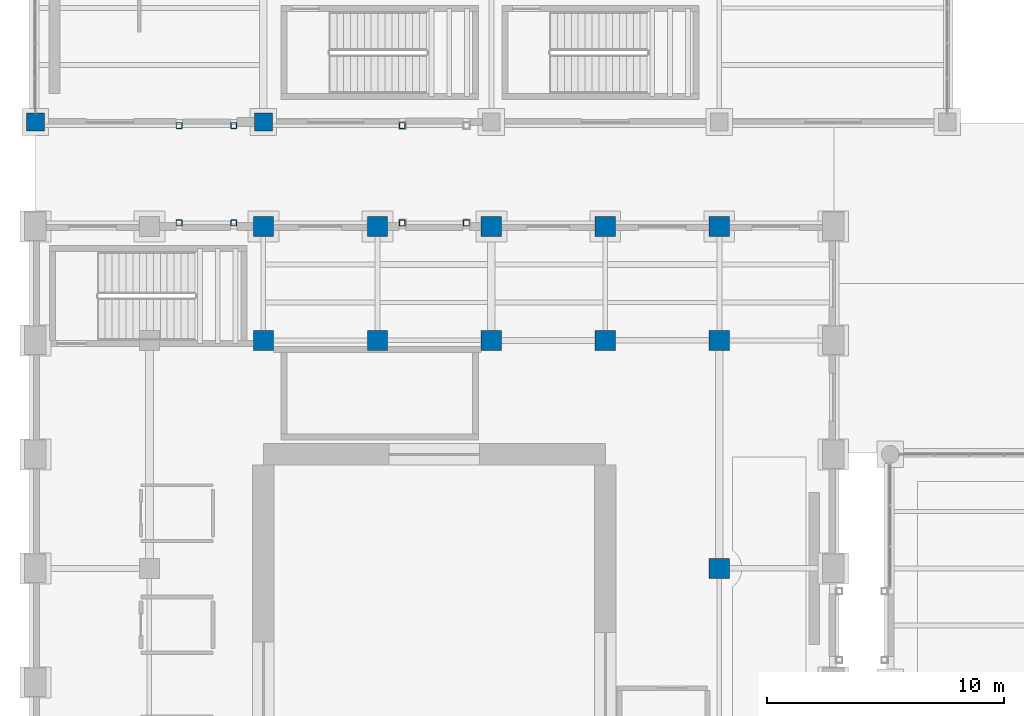
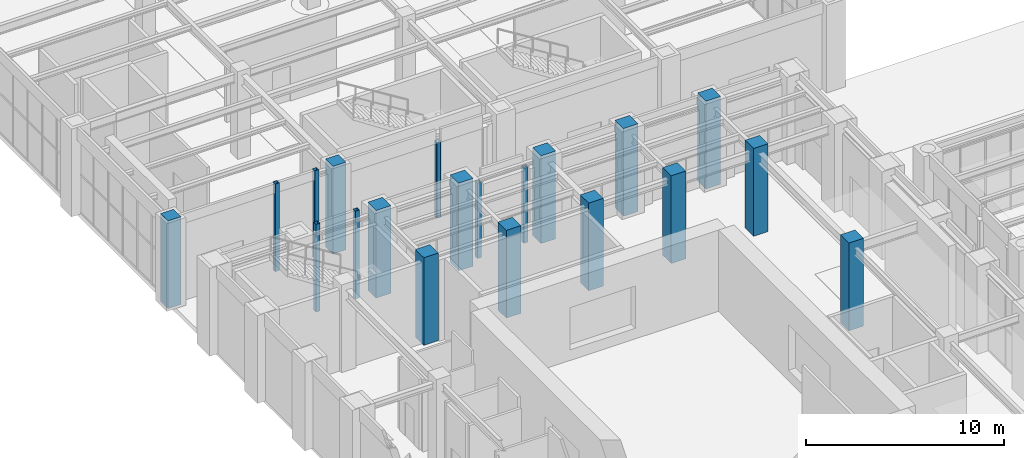
# One storey, part 12 of 164: 20 columns.
"""IFC4 building model written with IfcOpenShell, lengths in metres."""

from ifc_helpers import new_model, si_unit, direction, frame, origin, origin_2d, place, context, subcontext, project, spatial, rectangle, hollow_rectangle, extrude, material, material_profile, profile_set, type_object, element, save


model = new_model("IFC4")

# Units and contexts
model_context = context("Model", 3, precision=1e-05, world=origin(), true_north=direction((0.0, 1.0)))
body_context = subcontext(model_context, "Body", "Model", "MODEL_VIEW")
ifc_project = project(units=[si_unit("LENGTHUNIT", "METRE"), si_unit("AREAUNIT", "SQUARE_METRE"), si_unit("VOLUMEUNIT", "CUBIC_METRE"), si_unit("PLANEANGLEUNIT", "RADIAN"), si_unit("MASSUNIT", "GRAM", prefix="KILO")], contexts=[model_context])

# Site, building, storey
site_placement = place(None, origin())
site = spatial("IfcSite", under=ifc_project, at=site_placement, CompositionType="ELEMENT")
building_placement = place(site_placement, origin())
building = spatial("IfcBuilding", under=site, at=building_placement, Name="Mavantir Sound Aquarium", CompositionType="ELEMENT")
storey_placement = place(building_placement, origin())
storey = spatial("IfcBuildingStorey", under=building, at=storey_placement, Name="L00", CompositionType="ELEMENT", Elevation=0.0)

# Columns
ifc_material_1 = material(Name="Concrete C40/50", Category="concrete")
ifc_material_profile_1 = material_profile(ifc_material_1, rectangle(XDim=0.75, YDim=0.75, at=origin_2d()), Name="RC 750X750")
ifc_profile_set_1 = profile_set([ifc_material_profile_1], Name="Concrete C40/50")
column_type_1 = type_object("IfcColumnType", Name="COL-RC750-E", PredefinedType="COLUMN", material=ifc_profile_set_1)
column_1_placement = place(storey_placement, frame((0.0, 83.60009765625, 0.0), z_axis=(0.0, 0.0, 1.0), x_axis=(1.0, 0.0, 0.0)))
element("IfcColumn", 1, at=column_1_placement, inside=storey, type_object=column_type_1, Name="L00 column RC-C75 (V5)", PredefinedType="COLUMN", context=body_context, shape_type="SweptSolid", body=[
    extrude(rectangle(XDim=0.75, YDim=0.75, at=origin_2d()), origin(), (0.0, 0.0, 1.0), 5.39990234375),
])
ifc_material_profile_2 = material_profile(ifc_material_1, rectangle(XDim=0.75, YDim=0.75, at=origin_2d()), Name="RC 750X750")
ifc_profile_set_2 = profile_set([ifc_material_profile_2], Name="Concrete C40/50")
column_type_2 = type_object("IfcColumnType", Name="COL-RC750-I", PredefinedType="COLUMN", material=ifc_profile_set_2)
column_2_placement = place(storey_placement, frame((9.60009765625, 83.60009765625, 0.0), z_axis=(0.0, 0.0, 1.0), x_axis=(1.0, 0.0, 0.0)))
element("IfcColumn", 2, at=column_2_placement, inside=storey, type_object=column_type_2, Name="L00 column RC-C75 (V5)", PredefinedType="COLUMN", context=body_context, shape_type="SweptSolid", body=[
    extrude(rectangle(XDim=0.75, YDim=0.75, at=origin_2d()), origin(), (0.0, 0.0, 1.0), 5.39990234375),
])
ifc_material_profile_3 = material_profile(ifc_material_1, rectangle(XDim=0.85009765625, YDim=0.85009765625, at=origin_2d()), Name="RC 850X850")
ifc_profile_set_3 = profile_set([ifc_material_profile_3], Name="Concrete C40/50")
column_type_3 = type_object("IfcColumnType", Name="COL-RC850-I", PredefinedType="COLUMN", material=ifc_profile_set_3)
for number, where, z_axis, x_axis, name in (
    (3, (9.60009765625, 74.39990234375, 0.0), (0.0, 0.0, 1.0), (1.0, 0.0, 0.0), "L00 column RC-C85 (V1)"),
    (4, (9.60009765625, 79.199951171875, 0.0), (0.0, 0.0, 1.0), (1.0, 0.0, 0.0), "L00 column RC-C85 (V1)"),
    (5, (14.39990234375, 74.39990234375, 0.0), (0.0, 0.0, 1.0), (1.0, 0.0, 0.0), "L00 column RC-C85 (V1)"),
    (6, (14.39990234375, 79.199951171875, 0.0), (0.0, 0.0, 1.0), (1.0, 0.0, 0.0), "L00 column RC-C85 (V1)"),
    (7, (19.199951171875, 74.39990234375, 0.0), (0.0, 0.0, 1.0), (1.0, 0.0, 0.0), "L00 column RC-C85 (V1)"),
    (8, (19.199951171875, 79.199951171875, 0.0), (0.0, 0.0, 1.0), (1.0, 0.0, 0.0), "L00 column RC-C85 (V1)"),
    (9, (24.0, 74.39990234375, 0.0), (0.0, 0.0, 1.0), (1.0, 0.0, 0.0), "L00 column RC-C85 (V1)"),
    (10, (24.0, 79.199951171875, 0.0), (0.0, 0.0, 1.0), (1.0, 0.0, 0.0), "L00 column RC-C85 (V1)"),
    (11, (28.800048828125, 64.800048828125, 0.0), (0.0, 0.0, 1.0), (1.0, 0.0, 0.0), "L00 column RC-C85 (V1)"),
    (12, (28.800048828125, 74.39990234375, 0.0), (0.0, 0.0, 1.0), (1.0, 0.0, 0.0), "L00 column RC-C85 (V1)"),
    (13, (28.800048828125, 79.199951171875, 0.0), (0.0, 0.0, 1.0), (1.0, 0.0, 0.0), "L00 column RC-C85 (V1)"),
):
    element("IfcColumn", number, at=place(storey_placement, frame(where, z_axis=z_axis, x_axis=x_axis)), inside=storey, type_object=column_type_3, Name=name, PredefinedType="COLUMN", context=body_context, shape_type="SweptSolid", body=[
        extrude(rectangle(XDim=0.85009765625, YDim=0.85009765625, at=origin_2d()), origin(), (0.0, 0.0, 1.0), 5.39990234375),
    ])
ifc_material_2 = material(Name="Hollow Structural Steel ASTM A500 GrC", Category="steel")
ifc_material_profile_4 = material_profile(ifc_material_2, hollow_rectangle(XDim=0.25, YDim=0.25, WallThickness=0.012451171875, InnerFilletRadius=0.012451171875, OuterFilletRadius=0.02490234375, at=origin_2d()), Name="SHS 250X250X12.5")
ifc_profile_set_4 = profile_set([ifc_material_profile_4], Name="Hollow Structural Steel ASTM A500 GrC")
column_type_4 = type_object("IfcColumnType", Name="COL-SHS250-E", PredefinedType="COLUMN", material=ifc_profile_set_4)
for number, where, z_axis, x_axis, name in (
    (14, (15.449951171875, 79.35009765625, 0.0), (0.0, 0.0, 1.0), (1.0, 0.0, 0.0), "Bridge support column 3.1 (L00)"),
    (15, (15.449951171875, 83.449951171875, 0.0), (0.0, 0.0, 1.0), (1.0, 0.0, 0.0), "Bridge support column 3.2 (L00)"),
    (16, (18.14990234375, 79.35009765625, 0.0), (0.0, 0.0, 1.0), (1.0, 0.0, 0.0), "Bridge support column 3.3 (L00)"),
):
    element("IfcColumn", number, at=place(storey_placement, frame(where, z_axis=z_axis, x_axis=x_axis)), inside=storey, type_object=column_type_4, Name=name, PredefinedType="COLUMN", context=body_context, shape_type="SweptSolid", body=[
        extrude(hollow_rectangle(XDim=0.25, YDim=0.25, WallThickness=0.012451171875, InnerFilletRadius=0.012451171875, OuterFilletRadius=0.02490234375, at=origin_2d()), origin(), (0.0, 0.0, 1.0), 4.65087890625),
    ])
for number, where, z_axis, x_axis, name in (
    (17, (6.050048828125, 79.35009765625, 0.0), (0.0, 0.0, 1.0), (1.0, 0.0, 0.0), "Bridge support column 5.1 (L00)"),
    (18, (6.050048828125, 83.449951171875, 0.0), (0.0, 0.0, 1.0), (1.0, 0.0, 0.0), "Bridge support column 5.2 (L00)"),
    (19, (8.35009765625, 79.35009765625, 0.0), (0.0, 0.0, 1.0), (1.0, 0.0, 0.0), "Bridge support column 5.3 (L00)"),
    (20, (8.35009765625, 83.449951171875, 0.0), (0.0, 0.0, 1.0), (1.0, 0.0, 0.0), "Bridge support column 5.4 (L00)"),
):
    element("IfcColumn", number, at=place(storey_placement, frame(where, z_axis=z_axis, x_axis=x_axis)), inside=storey, type_object=column_type_4, Name=name, PredefinedType="COLUMN", context=body_context, shape_type="SweptSolid", body=[
        extrude(hollow_rectangle(XDim=0.25, YDim=0.25, WallThickness=0.012451171875, InnerFilletRadius=0.012451171875, OuterFilletRadius=0.02490234375, at=origin_2d()), origin(), (0.0, 0.0, 1.0), 5.39990234375),
    ])

save(model, "model.ifc")
